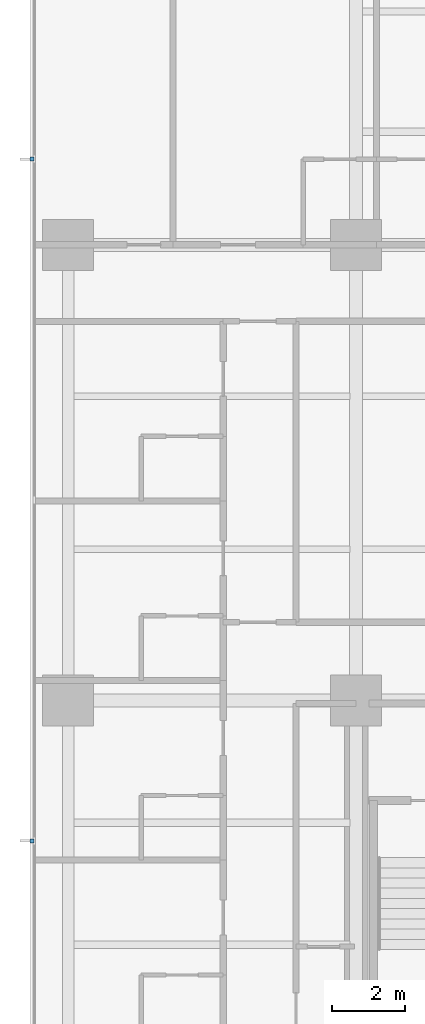
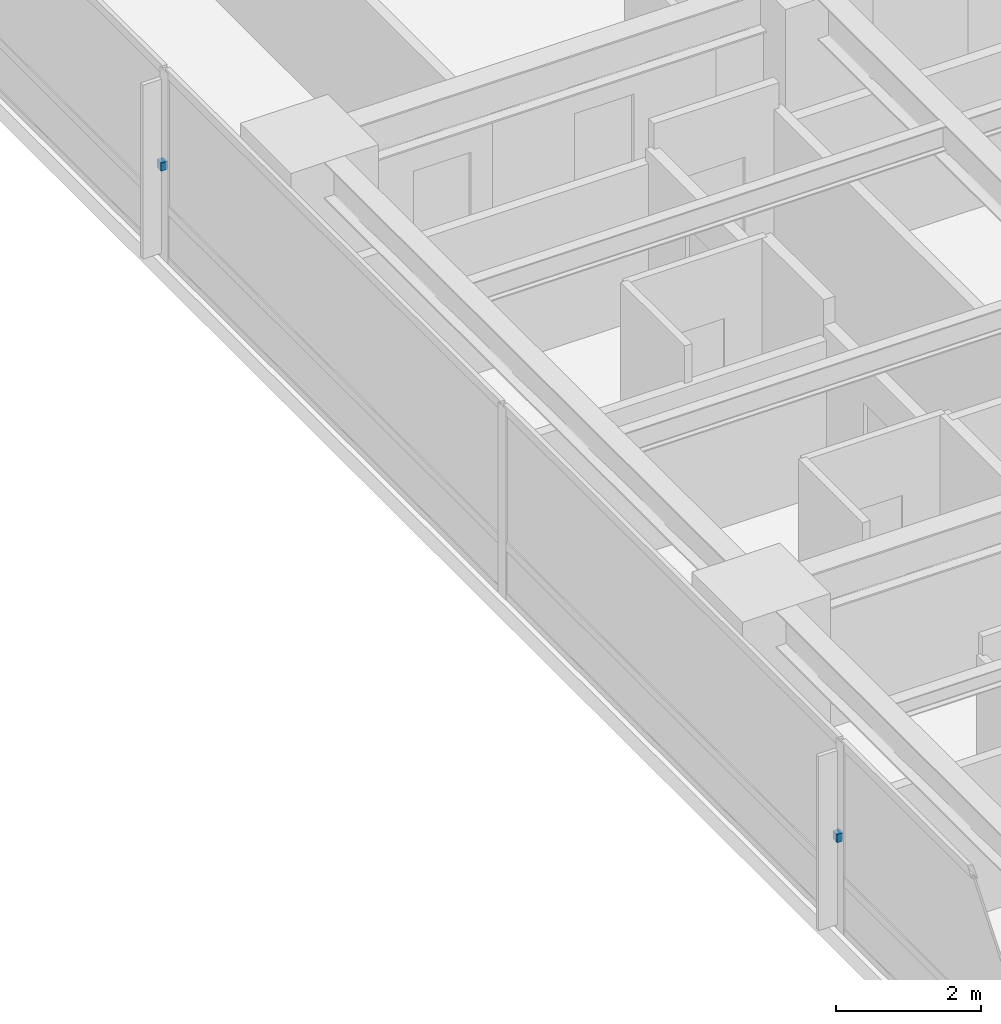
# One storey, part 12 of 17: 2 discrete accessories.
"""IFC4 building model written with IfcOpenShell, lengths in metres."""

from ifc_helpers import new_model, si_unit, direction, frame, origin, place, context, subcontext, project, spatial, polyline, outline, extrude, material, type_object, element, save


model = new_model("IFC4")

# Units and contexts
model_context = context("Model", 3, precision=1e-05, world=origin(), true_north=direction((0.0, 1.0)))
body_context = subcontext(model_context, "Body", "Model", "MODEL_VIEW")
ifc_project = project(units=[si_unit("LENGTHUNIT", "METRE"), si_unit("AREAUNIT", "SQUARE_METRE"), si_unit("VOLUMEUNIT", "CUBIC_METRE"), si_unit("PLANEANGLEUNIT", "RADIAN"), si_unit("MASSUNIT", "GRAM", prefix="KILO")], contexts=[model_context])

# Site, building, storey
site_placement = place(None, origin())
site = spatial("IfcSite", under=ifc_project, at=site_placement, CompositionType="ELEMENT")
building_placement = place(site_placement, origin())
building = spatial("IfcBuilding", under=site, at=building_placement, Name="Qalmaran Belvedere Hotel", CompositionType="ELEMENT")
storey_placement = place(building_placement, frame((0.0, 0.0, 61.39990234375)))
storey = spatial("IfcBuildingStorey", under=building, at=storey_placement, Name="L15", CompositionType="ELEMENT", Elevation=61.39990234375)

# Discrete accessories
ifc_material = material(Name="Stainless Steel 1.4401", Category="steel")
discrete_accessory_type = type_object("IfcDiscreteAccessoryType", Name="BRK-FIN-SS316", PredefinedType="BRACKET", material=ifc_material)
discrete_accessory_1_placement = place(storey_placement, frame((0.0, 0.0, 1.56005859375)))
element("IfcDiscreteAccessory", 1, at=discrete_accessory_1_placement, inside=storey, type_object=discrete_accessory_type, Name="L15 Fin Bracket 1", PredefinedType="BRACKET", context=body_context, shape_type="SweptSolid", body=[
    extrude(outline(polyline([(11.455078125, 35.405029296875), (11.357421875, 35.405029296875), (11.357421875, 35.294921875), (11.455078125, 35.294921875), (11.455078125, 35.405029296875)])), origin(), (0.0, 0.0, 1.0), 0.14013671875),
])
discrete_accessory_2_placement = place(storey_placement, frame((0.0, 0.0, 1.56005859375)))
element("IfcDiscreteAccessory", 2, at=discrete_accessory_2_placement, inside=storey, type_object=discrete_accessory_type, Name="L15 Fin Bracket 3", PredefinedType="BRACKET", context=body_context, shape_type="SweptSolid", body=[
    extrude(outline(polyline([(11.455078125, 16.705078125), (11.357421875, 16.705078125), (11.357421875, 16.594970703125), (11.455078125, 16.594970703125), (11.455078125, 16.705078125)])), origin(), (0.0, 0.0, 1.0), 0.14013671875),
])

save(model, "model.ifc")
